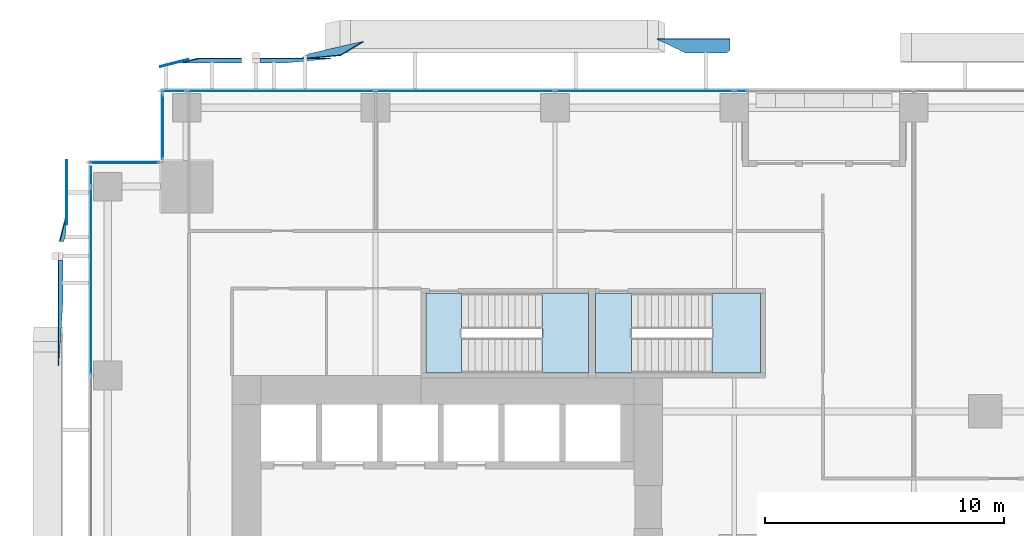
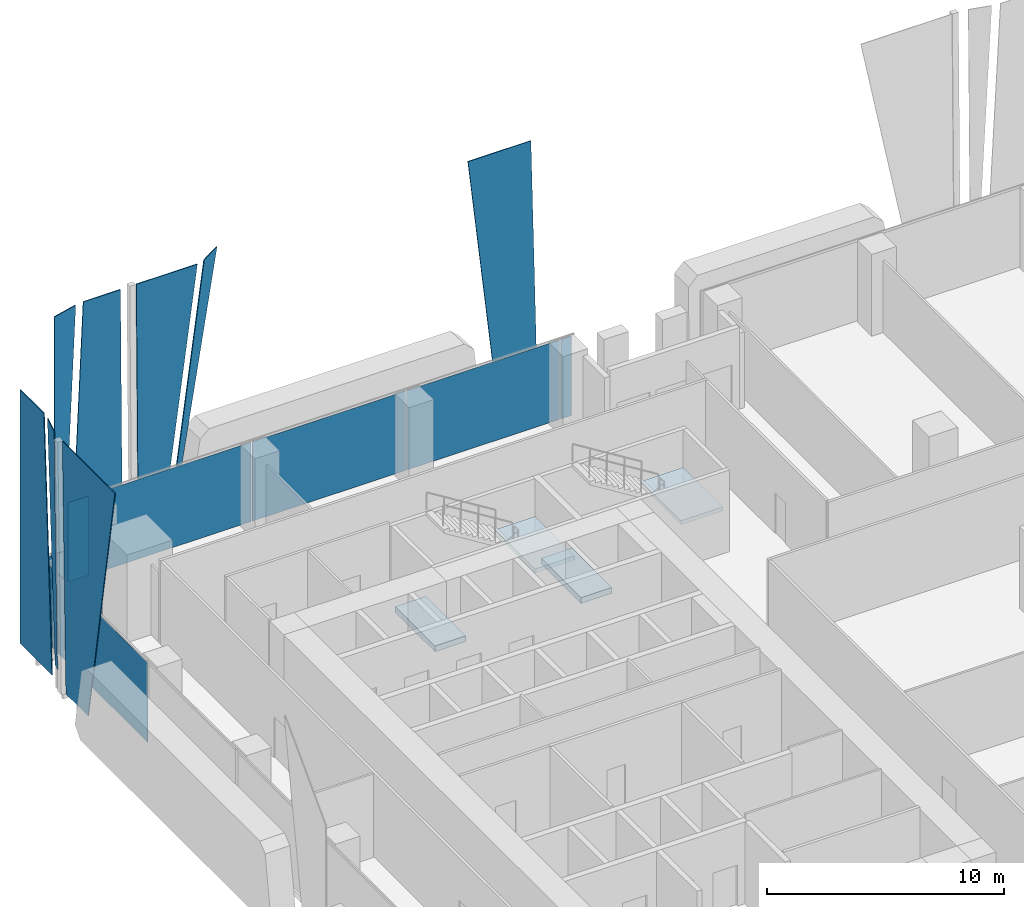
# One storey, part 26 of 36: 17 plates, 4 slabs, 6 elements without a shape of their own.
"""IFC4 building model written with IfcOpenShell, lengths in metres."""

from ifc_helpers import new_model, si_unit, direction, frame, origin, origin_2d, place, context, subcontext, project, spatial, polyline, rectangle, outline, extrude, source, transform, mapped, material, layer, layer_set, type_object, element, aggregate, save


model = new_model("IFC4")

# Units and contexts
model_context = context("Model", 3, precision=1e-05, world=origin(), true_north=direction((0.0, 1.0)))
body_context = subcontext(model_context, "Body", "Model", "MODEL_VIEW")
ifc_project = project(units=[si_unit("LENGTHUNIT", "METRE"), si_unit("AREAUNIT", "SQUARE_METRE"), si_unit("VOLUMEUNIT", "CUBIC_METRE"), si_unit("PLANEANGLEUNIT", "RADIAN"), si_unit("MASSUNIT", "GRAM", prefix="KILO")], contexts=[model_context])

# Site, building, storey
site_placement = place(None, origin())
site = spatial("IfcSite", under=ifc_project, at=site_placement, CompositionType="ELEMENT")
building_placement = place(site_placement, origin())
building = spatial("IfcBuilding", under=site, at=building_placement, Name="Khomas Fold Tower", CompositionType="ELEMENT")
storey_placement = place(building_placement, frame((0.0, 0.0, 46.5)))
storey = spatial("IfcBuildingStorey", under=building, at=storey_placement, Name="L09", CompositionType="ELEMENT", Elevation=46.5)

# Plates
ifc_material_1 = material(Name="Clear laminated glass", Category="glass")
ifc_layer_1 = layer(ifc_material_1, 0.0400390625)
ifc_layer_set_1 = layer_set([ifc_layer_1], Name="Clear laminated glass")
plate_type_1 = type_object("IfcPlateType", Name="SK-Clear laminated glass leaf", PredefinedType="SHEET", material=ifc_layer_set_1)
plate_1_placement = place(storey_placement, frame((6.39990234375, 55.077392578125, 0.0), z_axis=(0.0, -0.999913772879, 0.013131900334), x_axis=(-1.0, 0.0, 0.0)))
element("IfcPlate", 1, at=plate_1_placement, inside=storey, type_object=plate_type_1, Name="OUTER SKIN glass L09 NG098-1", PredefinedType="SHEET", context=body_context, shape_type="SweptSolid", body=[
    extrude(outline(polyline([(0.0, 0.0), (2.490234375, 0.0), (1.80419921875, -13.05117419329811), (0.0, -13.05117419329811), (0.0, 0.0)])), origin(), (0.0, 0.0, -1.0), 0.0400390625),
])
plate_2_placement = place(storey_placement, frame((4.185302734375, 55.237548828125, 13.050048828125), z_axis=(-0.242633717069, 0.970117971855, 5.007156e-06), x_axis=(-0.052472701317, -0.013118658872, -0.998536186828)))
element("IfcPlate", 2, at=plate_2_placement, inside=storey, type_object=plate_type_1, Name="OUTER SKIN glass L09 NG098-2", PredefinedType="SHEET", context=body_context, shape_type="SweptSolid", body=[
    extrude(outline(polyline([(0.0, 0.0), (13.069179665788237, -1.1102230246251565e-16), (13.097574684069027, 0.5242122123253874), (0.06662868930792525, 1.230059854381724), (0.0, 0.0)])), origin(), (0.0, 0.0, -1.0), 0.0400390625),
])
plate_3_placement = place(storey_placement, frame((8.30126953125, 55.077392578125, 0.0), z_axis=(0.0, -0.999913772879, 0.013131900334), x_axis=(-1.0, 0.0, 0.0)))
element("IfcPlate", 3, at=plate_3_placement, inside=storey, type_object=plate_type_1, Name="OUTER SKIN glass L09 NG099-4", PredefinedType="SHEET", context=body_context, shape_type="SweptSolid", body=[
    extrude(outline(polyline([(0.0, 0.0), (1.13134765625, 0.0), (1.13134765625, -13.05117419329811), (-1.83984375, -13.05117419329811), (0.0, 0.0)])), origin(), (0.0, 0.0, -1.0), 0.0400390625),
])
plate_4_placement = place(storey_placement, frame((10.5244140625, 55.404296875, 13.052490234375), z_axis=(-0.51346242378, 0.855931565456, 0.061135052319), x_axis=(0.857535423494, 0.514424919135, -5.05962e-06)))
element("IfcPlate", 4, at=plate_4_placement, inside=storey, type_object=plate_type_1, Name="OUTER SKIN glass L09 NG099-5", PredefinedType="SHEET", context=body_context, shape_type="SweptSolid", body=[
    extrude(outline(polyline([(0.0, 0.0), (1.1089627711250831, -3.469446951953614e-18), (-1.1003376057080787, 11.822167721156822), (-1.5062650519393117, 11.82217540028891), (0.0, 0.0)])), origin(), (0.0, 0.0, -1.0), 0.0400390625),
])
plate_5_placement = place(storey_placement, frame((26.66845703125, 55.4912109375, 0.0), z_axis=(1.6399691e-05, -0.999042363923, 0.043753340642), x_axis=(-0.999999999866, -1.6383986e-05, 7.17541e-07)))
element("IfcPlate", 5, at=plate_5_placement, inside=storey, type_object=plate_type_1, Name="OUTER SKIN glass L09 NG102-6", PredefinedType="SHEET", context=body_context, shape_type="SweptSolid", body=[
    extrude(outline(polyline([(0.0, 0.0), (1.7136230466445608, -1.8143689748467816e-22), (2.8991699214416666, -13.062558119247317), (-0.16162109377173398, -13.062558119247317), (-0.161621095055812, -2.458901242767349), (0.0, 0.0)])), origin(), (0.0, 0.0, -1.0), 0.0400390625),
])
plate_6_placement = place(storey_placement, frame((-1.248779296875, 42.4052734375, 13.050048828125), z_axis=(0.999913772879, 0.0, 0.013131900334), x_axis=(0.0, 1.0, 0.0)))
element("IfcPlate", 6, at=plate_6_placement, inside=storey, type_object=plate_type_1, Name="OUTER SKIN glass L09 WG106-7", PredefinedType="SHEET", context=body_context, shape_type="SweptSolid", body=[
    extrude(outline(polyline([(0.0, 0.0), (4.4248046875, 0.0), (4.4248046875, -13.05117419329811), (2.55517578125, -13.05117419329811), (0.0, 0.0)])), origin(), (0.0, 0.0, -1.0), 0.0400390625),
])
plate_7_placement = place(storey_placement, frame((-0.93994140625, 48.309814453125, 0.0), z_axis=(-1.0, 0.0, 0.0), x_axis=(0.0, 0.052478427046, 0.998622057985)))
element("IfcPlate", 7, at=plate_7_placement, inside=storey, type_object=plate_type_1, Name="OUTER SKIN glass L09 WG107-9", PredefinedType="SHEET", context=body_context, shape_type="SweptSolid", body=[
    extrude(outline(polyline([(0.0, 0.0), (13.068055851333002, 0.0), (13.173243323512263, 2.0016325918113553), (0.14117670596142376, 2.686478627182622), (0.0, 0.0)])), origin(), (0.0, 0.0, -1.0), 0.0400390625),
])
plate_8_placement = place(storey_placement, frame((-0.949951171875, 48.594970703125, 13.050048828125), z_axis=(0.970053332649, -0.242557402458, 0.012745129618), x_axis=(1.210026e-06, -0.052467584624, -0.998622627704)))
element("IfcPlate", 8, at=plate_8_placement, inside=storey, type_object=plate_type_1, Name="OUTER SKIN glass L09 WG107-10", PredefinedType="SHEET", context=body_context, shape_type="SweptSolid", body=[
    extrude(outline(polyline([(0.0, 0.0), (12.317013745813073, 0.0), (12.33530556194208, -0.3588966418765839), (0.05219828474806795, -1.0241771608395063), (0.0, 0.0)])), origin(), (0.0, 0.0, -1.0), 0.0400390625),
])

# Curtain wall, plate
ifc_material_2 = material(Name="Aluminium framed double glazing", Category="aluminium")
curtain_wall_type = type_object("IfcCurtainWallType", Name="SK-Unitised clear-glass wall, growing floors CW1", PredefinedType="NOTDEFINED", material=ifc_material_2)
curtain_wall_1_placement = place(storey_placement, origin())
curtain_wall_1 = element("IfcCurtainWall", 9, at=curtain_wall_1_placement, inside=storey, type_object=curtain_wall_type, Name="CW1 run L09 09-0", PredefinedType="NOTDEFINED")
ifc_material_3 = material(Name="Clear double glazed unit")
ifc_layer_2 = layer(ifc_material_3, 0.031982421875)
ifc_layer_set_2 = layer_set([ifc_layer_2], Name="Clear double glazed unit")
plate_type_2 = type_object("IfcPlateType", Name="SK-Unitised clear-glass wall, growing floors glass panel CW1-P", PredefinedType="CURTAIN_PANEL", material=ifc_layer_set_2)
shared_shape_1 = source(origin(), body_context, "Body", "SweptSolid", [
    extrude(rectangle(XDim=0.81005859375, YDim=0.031982421875, at=origin_2d()), origin(), (0.0, 0.0, 1.0), 4.080078125),
])
plate_9_placement = place(storey_placement, frame((0.10009765625, 50.3349609375, 0.0), z_axis=(0.0, 0.0, 1.0), x_axis=(0.0, -1.0, 0.0)))
plate_9 = element("IfcPlate", 10, at=plate_9_placement, type_object=plate_type_2, Name="CW1 glass panel 1", PredefinedType="CURTAIN_PANEL", context=body_context, shape_type="MappedRepresentation", body=[
    mapped(shared_shape_1, transform((0.0, 0.0, 0.0))),
])

curtain_wall_2_placement = place(storey_placement, origin())
curtain_wall_2 = element("IfcCurtainWall", 11, at=curtain_wall_2_placement, inside=storey, type_object=curtain_wall_type, Name="CW1 run L09 06-1", PredefinedType="NOTDEFINED")
shared_shape_2 = source(origin(), body_context, "Body", "SweptSolid", [
    extrude(rectangle(XDim=7.840087890625, YDim=0.031982421875, at=origin_2d()), origin(), (0.0, 0.0, 1.0), 4.080078125),
])
plate_10_placement = place(storey_placement, frame((8.050048828125, 53.89990234375, 0.0), z_axis=(0.0, 0.0, 1.0), x_axis=(-1.0, 0.0, 0.0)))
plate_10 = element("IfcPlate", 12, at=plate_10_placement, type_object=plate_type_2, Name="CW1 glass panel 4", PredefinedType="CURTAIN_PANEL", context=body_context, shape_type="MappedRepresentation", body=[
    mapped(shared_shape_2, transform((0.0, 0.0, 0.0))),
])

# Plate
plate_11_placement = place(storey_placement, frame((0.10009765625, 45.949951171875, 0.0), z_axis=(0.0, 0.0, 1.0), x_axis=(0.0, -1.0, 0.0)))
plate_11 = element("IfcPlate", 13, at=plate_11_placement, type_object=plate_type_2, Name="CW1 glass panel 2", PredefinedType="CURTAIN_PANEL", context=body_context, shape_type="MappedRepresentation", body=[
    mapped(shared_shape_2, transform((0.0, 0.0, 0.0))),
])

aggregate(curtain_wall_1, [plate_9, plate_11])

shared_shape_3 = source(origin(), body_context, "Body", "SweptSolid", [
    extrude(rectangle(XDim=7.43994140625, YDim=0.031982421875, at=origin_2d()), origin(), (0.0, 0.0, 1.0), 4.080078125),
])
plate_12_placement = place(storey_placement, frame((23.25, 53.89990234375, 0.0), z_axis=(0.0, 0.0, 1.0), x_axis=(-1.0, 0.0, 0.0)))
plate_12 = element("IfcPlate", 14, at=plate_12_placement, type_object=plate_type_2, Name="CW1 glass panel 2", PredefinedType="CURTAIN_PANEL", context=body_context, shape_type="MappedRepresentation", body=[
    mapped(shared_shape_3, transform((0.0, 0.0, 0.0))),
])

plate_13_placement = place(storey_placement, frame((15.75, 53.89990234375, 0.0), z_axis=(0.0, 0.0, 1.0), x_axis=(-1.0, 0.0, 0.0)))
plate_13 = element("IfcPlate", 15, at=plate_13_placement, type_object=plate_type_2, Name="CW1 glass panel 3", PredefinedType="CURTAIN_PANEL", context=body_context, shape_type="MappedRepresentation", body=[
    mapped(shared_shape_3, transform((0.0, 0.0, 0.0))),
])

shared_shape_4 = source(origin(), body_context, "Body", "SweptSolid", [
    extrude(rectangle(XDim=1.010009765625, YDim=0.031982421875, at=origin_2d()), origin(), (0.0, 0.0, 1.0), 4.080078125),
])
plate_14_placement = place(storey_placement, frame((3.56494140625, 53.89990234375, 0.0), z_axis=(0.0, 0.0, 1.0), x_axis=(-1.0, 0.0, 0.0)))
plate_14 = element("IfcPlate", 16, at=plate_14_placement, type_object=plate_type_2, Name="CW1 glass panel 5", PredefinedType="CURTAIN_PANEL", context=body_context, shape_type="MappedRepresentation", body=[
    mapped(shared_shape_4, transform((0.0, 0.0, 0.0))),
])

# Curtain wall, plate
curtain_wall_3_placement = place(storey_placement, origin())
curtain_wall_3 = element("IfcCurtainWall", 17, at=curtain_wall_3_placement, inside=storey, type_object=curtain_wall_type, Name="CW1 corner return L09 07", PredefinedType="NOTDEFINED")
shared_shape_5 = source(origin(), body_context, "Body", "SweptSolid", [
    extrude(rectangle(XDim=2.679931640625, YDim=0.031982421875, at=origin_2d()), origin(), (0.0, 0.0, 1.0), 4.080078125),
])
plate_15_placement = place(storey_placement, frame((3.10009765625, 52.39990234375, 0.0), z_axis=(0.0, 0.0, 1.0), x_axis=(0.0, -1.0, 0.0)))
plate_15 = element("IfcPlate", 18, at=plate_15_placement, type_object=plate_type_2, Name="CW1 glass panel 1", PredefinedType="CURTAIN_PANEL", context=body_context, shape_type="MappedRepresentation", body=[
    mapped(shared_shape_5, transform((0.0, 0.0, 0.0))),
])
aggregate(curtain_wall_3, [plate_15])

curtain_wall_4_placement = place(storey_placement, origin())
curtain_wall_4 = element("IfcCurtainWall", 19, at=curtain_wall_4_placement, inside=storey, type_object=curtain_wall_type, Name="CW1 corner return L09 08", PredefinedType="NOTDEFINED")
shared_shape_6 = source(origin(), body_context, "Body", "SweptSolid", [
    extrude(rectangle(XDim=2.8798828125, YDim=0.031982421875, at=origin_2d()), origin(), (0.0, 0.0, 1.0), 4.080078125),
])
plate_16_placement = place(storey_placement, frame((1.5, 50.89990234375, 0.0), z_axis=(0.0, 0.0, 1.0), x_axis=(-1.0, 0.0, 0.0)))
plate_16 = element("IfcPlate", 20, at=plate_16_placement, type_object=plate_type_2, Name="CW1 glass panel 1", PredefinedType="CURTAIN_PANEL", context=body_context, shape_type="MappedRepresentation", body=[
    mapped(shared_shape_6, transform((0.0, 0.0, 0.0))),
])
aggregate(curtain_wall_4, [plate_16])

# Plate
shared_shape_7 = source(origin(), body_context, "Body", "SweptSolid", [
    extrude(rectangle(XDim=0.510009765625, YDim=0.031982421875, at=origin_2d()), origin(), (0.0, 0.0, 1.0), 4.080078125),
])
plate_17_placement = place(storey_placement, frame((27.284912109375, 53.89990234375, 0.0), z_axis=(0.0, 0.0, 1.0), x_axis=(-1.0, 0.0, 0.0)))
plate_17 = element("IfcPlate", 21, at=plate_17_placement, type_object=plate_type_2, Name="CW1 glass panel 1", PredefinedType="CURTAIN_PANEL", context=body_context, shape_type="MappedRepresentation", body=[
    mapped(shared_shape_7, transform((0.0, 0.0, 0.0))),
])

aggregate(curtain_wall_2, [plate_17, plate_12, plate_13, plate_10, plate_14])

# Stair, slab
ifc_material_4 = material(Name="Concrete C40/50", Category="concrete")
stair_type_1 = type_object("IfcStairType", Name="Stair ST1", PredefinedType="HALF_TURN_STAIR", material=ifc_material_4)
stair_1_placement = place(storey_placement, origin())
stair_1 = element("IfcStair", 22, at=stair_1_placement, inside=storey, type_object=stair_type_1, Name="L09 ST1", PredefinedType="HALF_TURN_STAIR")
ifc_material_5 = material(Name="Concrete C40/50", Category="concrete")
ifc_layer_3 = layer(ifc_material_5, 0.199951171875)
ifc_layer_set_3 = layer_set([ifc_layer_3], Name="Concrete C40/50")
slab_type_1 = type_object("IfcSlabType", Name="Stair landing 200", PredefinedType="LANDING", material=ifc_layer_set_3)
shared_shape_8 = source(origin(), body_context, "Body", "SweptSolid", [
    extrude(outline(polyline([(18.9599609375, 42.10009765625), (20.89990234375, 42.10009765625), (20.89990234375, 45.449951171875), (18.9599609375, 45.449951171875), (18.9599609375, 42.10009765625)])), origin(), (0.0, 0.0, 1.0), 0.199951171875),
])
slab_1_placement = place(storey_placement, frame((0.0, 0.0, 2.050048828125)))
slab_1 = element("IfcSlab", 23, at=slab_1_placement, type_object=slab_type_1, Name="ST1 landing 1", PredefinedType="LANDING", context=body_context, shape_type="MappedRepresentation", body=[
    mapped(shared_shape_8, transform((0.0, 0.0, 0.0))),
])
aggregate(stair_1, [slab_1])

# Slab
ifc_material_6 = material(Name="Concrete C40/50", Category="concrete")
ifc_layer_4 = layer(ifc_material_6, 0.300048828125)
ifc_layer_set_4 = layer_set([ifc_layer_4], Name="Concrete C40/50")
slab_type_2 = type_object("IfcSlabType", Name="Stair floor landing 300", PredefinedType="LANDING", material=ifc_layer_set_4)
shared_shape_9 = source(origin(), body_context, "Body", "SweptSolid", [
    extrude(outline(polyline([(15.60009765625, 42.10009765625), (14.10009765625, 42.10009765625), (14.10009765625, 45.449951171875), (15.60009765625, 45.449951171875), (15.60009765625, 42.10009765625)])), origin(), (0.0, 0.0, 1.0), 0.300048828125),
])
slab_2_placement = place(storey_placement, frame((0.0, 0.0, -0.300048828125)))
element("IfcSlab", 24, at=slab_2_placement, inside=storey, type_object=slab_type_2, Name="ST1 floor landing", PredefinedType="LANDING", context=body_context, shape_type="MappedRepresentation", body=[
    mapped(shared_shape_9, transform((0.0, 0.0, 0.0))),
])

# Stair, slab
ifc_material_7 = material(Name="Concrete C40/50", Category="concrete")
stair_type_2 = type_object("IfcStairType", Name="Stair ST3", PredefinedType="HALF_TURN_STAIR", material=ifc_material_7)
stair_2_placement = place(storey_placement, origin())
stair_2 = element("IfcStair", 25, at=stair_2_placement, inside=storey, type_object=stair_type_2, Name="L09 ST3", PredefinedType="HALF_TURN_STAIR")
shared_shape_10 = source(origin(), body_context, "Body", "SweptSolid", [
    extrude(outline(polyline([(26.06005859375, 42.10009765625), (28.10009765625, 42.10009765625), (28.10009765625, 45.449951171875), (26.06005859375, 45.449951171875), (26.06005859375, 42.10009765625)])), origin(), (0.0, 0.0, 1.0), 0.199951171875),
])
slab_3_placement = place(storey_placement, frame((0.0, 0.0, 2.050048828125)))
slab_3 = element("IfcSlab", 26, at=slab_3_placement, type_object=slab_type_1, Name="ST3 landing 1", PredefinedType="LANDING", context=body_context, shape_type="MappedRepresentation", body=[
    mapped(shared_shape_10, transform((0.0, 0.0, 0.0))),
])
aggregate(stair_2, [slab_3])

# Slab
shared_shape_11 = source(origin(), body_context, "Body", "SweptSolid", [
    extrude(outline(polyline([(22.699951171875, 42.10009765625), (21.199951171875, 42.10009765625), (21.199951171875, 45.449951171875), (22.699951171875, 45.449951171875), (22.699951171875, 42.10009765625)])), origin(), (0.0, 0.0, 1.0), 0.300048828125),
])
slab_4_placement = place(storey_placement, frame((0.0, 0.0, -0.300048828125)))
element("IfcSlab", 27, at=slab_4_placement, inside=storey, type_object=slab_type_2, Name="ST3 floor landing", PredefinedType="LANDING", context=body_context, shape_type="MappedRepresentation", body=[
    mapped(shared_shape_11, transform((0.0, 0.0, 0.0))),
])

save(model, "model.ifc")
